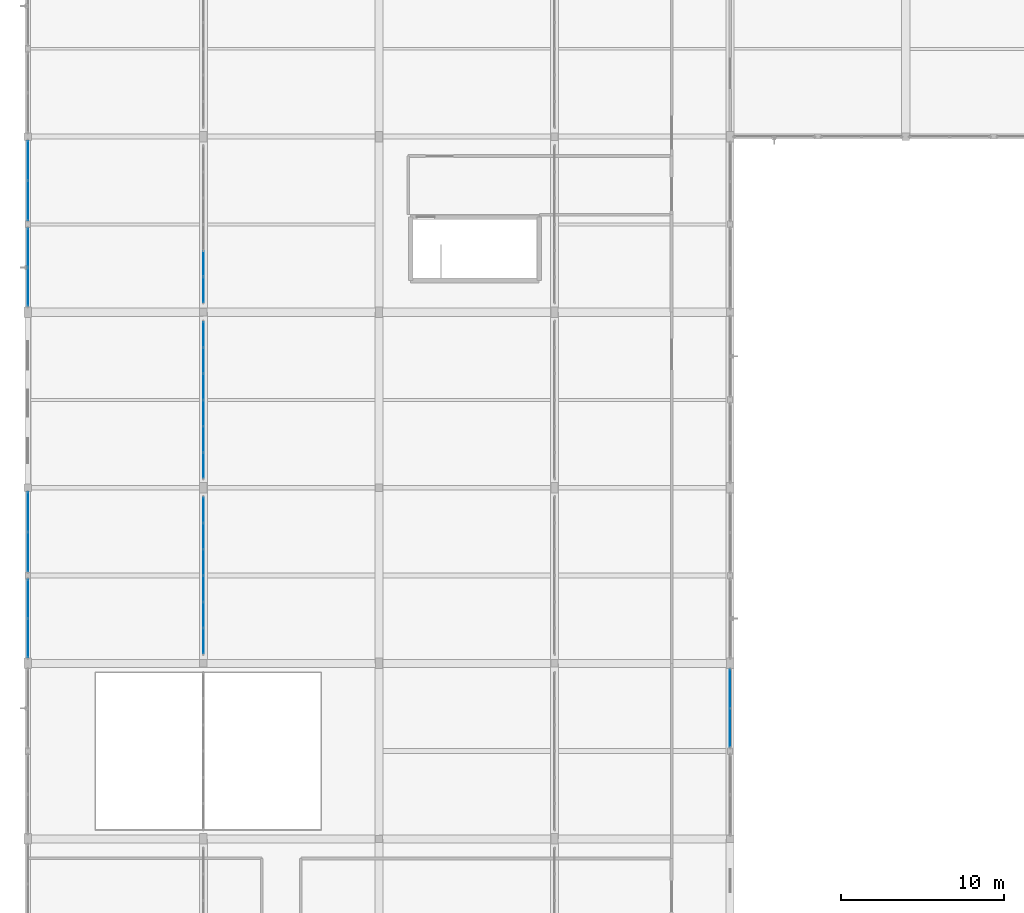
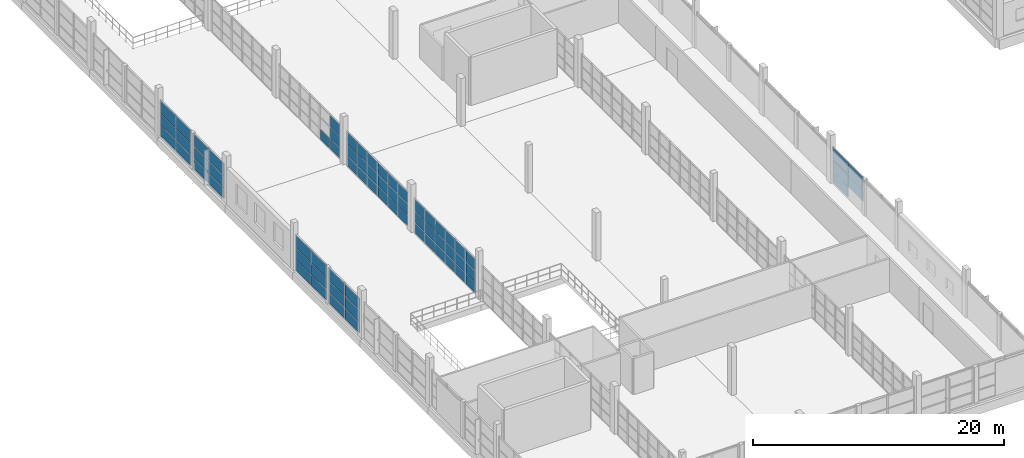
# One storey, part 83 of 142: 69 plates, 8 elements without a shape of their own.
"""IFC4 building model written with IfcOpenShell, lengths in metres."""

from ifc_helpers import new_model, si_unit, direction, frame, origin, origin_2d, place, context, subcontext, project, spatial, rectangle, extrude, material, layer, layer_set, type_object, element, aggregate, save


model = new_model("IFC4")

# Units and contexts
model_context = context("Model", 3, precision=1e-05, world=origin(), true_north=direction((0.0, 1.0)))
body_context = subcontext(model_context, "Body", "Model", "MODEL_VIEW")
ifc_project = project(units=[si_unit("LENGTHUNIT", "METRE"), si_unit("AREAUNIT", "SQUARE_METRE"), si_unit("VOLUMEUNIT", "CUBIC_METRE"), si_unit("PLANEANGLEUNIT", "RADIAN"), si_unit("MASSUNIT", "GRAM", prefix="KILO")], contexts=[model_context])

# Site, building, storey
site_placement = place(None, origin())
site = spatial("IfcSite", under=ifc_project, at=site_placement, CompositionType="ELEMENT")
building_placement = place(site_placement, origin())
building = spatial("IfcBuilding", under=site, at=building_placement, Name="Zwinboog Wholesale Market", CompositionType="ELEMENT")
storey_placement = place(building_placement, frame((0.0, 0.0, 5.39990234375)))
storey = spatial("IfcBuildingStorey", under=building, at=storey_placement, Name="L01", CompositionType="ELEMENT", Elevation=5.39990234375)

# Curtain wall, plates
ifc_material_1 = material(Name="Aluminium thermally broken curtain wall", Category="aluminium")
curtain_wall_type_1 = type_object("IfcCurtainWallType", Name="CWT-STALL-18", PredefinedType="USERDEFINED", material=ifc_material_1)
curtain_wall_1_placement = place(storey_placement, origin())
curtain_wall_1 = element("IfcCurtainWall", 1, at=curtain_wall_1_placement, inside=storey, type_object=curtain_wall_type_1, Name="CW-01 (CW-L01-055)", ObjectType="STOREFRONT_GLAZING", PredefinedType="USERDEFINED")
ifc_material_2 = material(Name="Double low-e insulated glazing", Category="glass")
ifc_layer_1 = layer(ifc_material_2, 0.031982421875)
ifc_layer_set_1 = layer_set([ifc_layer_1], Name="Double low-e insulated glazing")
plate_type_1 = type_object("IfcPlateType", Name="CWP-IGU-32", PredefinedType="CURTAIN_PANEL", material=ifc_layer_set_1)
plate_1_placement = place(storey_placement, frame((0.0, 33.956298828125, 0.065185546875), z_axis=(0.0, 0.0, 1.0), x_axis=(0.0, 1.0, 0.0)))
plate_1 = element("IfcPlate", 2, at=plate_1_placement, type_object=plate_type_1, Name="CW-01 panel 1.1", PredefinedType="CURTAIN_PANEL", context=body_context, shape_type="SweptSolid", body=[
    extrude(rectangle(XDim=2.342529296875, YDim=0.031982421875, at=origin_2d()), origin(), (0.0, 0.0, 1.0), 1.00244140625),
])
plate_2_placement = place(storey_placement, frame((0.0, 33.956298828125, 1.132568359375), z_axis=(0.0, 0.0, 1.0), x_axis=(0.0, 1.0, 0.0)))
plate_2 = element("IfcPlate", 3, at=plate_2_placement, type_object=plate_type_1, Name="CW-01 panel 1.2", PredefinedType="CURTAIN_PANEL", context=body_context, shape_type="SweptSolid", body=[
    extrude(rectangle(XDim=2.342529296875, YDim=0.031982421875, at=origin_2d()), origin(), (0.0, 0.0, 1.0), 1.0849609375),
])
plate_3_placement = place(storey_placement, frame((0.0, 33.956298828125, 2.282470703125), z_axis=(0.0, 0.0, 1.0), x_axis=(0.0, 1.0, 0.0)))
plate_3 = element("IfcPlate", 4, at=plate_3_placement, type_object=plate_type_1, Name="CW-01 panel 1.3", PredefinedType="CURTAIN_PANEL", context=body_context, shape_type="SweptSolid", body=[
    extrude(rectangle(XDim=2.342529296875, YDim=0.031982421875, at=origin_2d()), origin(), (0.0, 0.0, 1.0), 1.1826171875),
])
plate_4_placement = place(storey_placement, frame((0.0, 36.36376953125, 0.065185546875), z_axis=(0.0, 0.0, 1.0), x_axis=(0.0, 1.0, 0.0)))
plate_4 = element("IfcPlate", 5, at=plate_4_placement, type_object=plate_type_1, Name="CW-01 panel 2.1", PredefinedType="CURTAIN_PANEL", context=body_context, shape_type="SweptSolid", body=[
    extrude(rectangle(XDim=2.342529296875, YDim=0.031982421875, at=origin_2d()), origin(), (0.0, 0.0, 1.0), 1.00244140625),
])
plate_5_placement = place(storey_placement, frame((0.0, 36.36376953125, 1.132568359375), z_axis=(0.0, 0.0, 1.0), x_axis=(0.0, 1.0, 0.0)))
plate_5 = element("IfcPlate", 6, at=plate_5_placement, type_object=plate_type_1, Name="CW-01 panel 2.2", PredefinedType="CURTAIN_PANEL", context=body_context, shape_type="SweptSolid", body=[
    extrude(rectangle(XDim=2.342529296875, YDim=0.031982421875, at=origin_2d()), origin(), (0.0, 0.0, 1.0), 1.0849609375),
])
plate_6_placement = place(storey_placement, frame((0.0, 36.36376953125, 2.282470703125), z_axis=(0.0, 0.0, 1.0), x_axis=(0.0, 1.0, 0.0)))
plate_6 = element("IfcPlate", 7, at=plate_6_placement, type_object=plate_type_1, Name="CW-01 panel 2.3", PredefinedType="CURTAIN_PANEL", context=body_context, shape_type="SweptSolid", body=[
    extrude(rectangle(XDim=2.342529296875, YDim=0.031982421875, at=origin_2d()), origin(), (0.0, 0.0, 1.0), 1.1826171875),
])
aggregate(curtain_wall_1, [plate_1, plate_2, plate_3, plate_4, plate_5, plate_6])

curtain_wall_type_2 = type_object("IfcCurtainWallType", Name="CWT-STALL-20", PredefinedType="USERDEFINED", material=ifc_material_1)
curtain_wall_2_placement = place(storey_placement, origin())
curtain_wall_2 = element("IfcCurtainWall", 8, at=curtain_wall_2_placement, inside=storey, type_object=curtain_wall_type_2, Name="CW-02 (CW-L01-056)", ObjectType="STOREFRONT_GLAZING", PredefinedType="USERDEFINED")
plate_7_placement = place(storey_placement, frame((0.0, 39.260009765625, 0.06005859375), z_axis=(0.0, 0.0, 1.0), x_axis=(0.0, 1.0, 0.0)))
plate_7 = element("IfcPlate", 9, at=plate_7_placement, type_object=plate_type_1, Name="CW-02 panel 1.1", PredefinedType="CURTAIN_PANEL", context=body_context, shape_type="SweptSolid", body=[
    extrude(rectangle(XDim=2.39990234375, YDim=0.031982421875, at=origin_2d()), origin(), (0.0, 0.0, 1.0), 1.010009765625),
])
plate_8_placement = place(storey_placement, frame((0.0, 39.260009765625, 1.1298828125), z_axis=(0.0, 0.0, 1.0), x_axis=(0.0, 1.0, 0.0)))
plate_8 = element("IfcPlate", 10, at=plate_8_placement, type_object=plate_type_1, Name="CW-02 panel 1.2", PredefinedType="CURTAIN_PANEL", context=body_context, shape_type="SweptSolid", body=[
    extrude(rectangle(XDim=2.39990234375, YDim=0.031982421875, at=origin_2d()), origin(), (0.0, 0.0, 1.0), 1.090087890625),
])
plate_9_placement = place(storey_placement, frame((0.0, 39.260009765625, 2.280029296875), z_axis=(0.0, 0.0, 1.0), x_axis=(0.0, 1.0, 0.0)))
plate_9 = element("IfcPlate", 11, at=plate_9_placement, type_object=plate_type_1, Name="CW-02 panel 1.3", PredefinedType="CURTAIN_PANEL", context=body_context, shape_type="SweptSolid", body=[
    extrude(rectangle(XDim=2.39990234375, YDim=0.031982421875, at=origin_2d()), origin(), (0.0, 0.0, 1.0), 1.18994140625),
])
plate_10_placement = place(storey_placement, frame((0.0, 41.719970703125, 0.06005859375), z_axis=(0.0, 0.0, 1.0), x_axis=(0.0, 1.0, 0.0)))
plate_10 = element("IfcPlate", 12, at=plate_10_placement, type_object=plate_type_1, Name="CW-02 panel 2.1", PredefinedType="CURTAIN_PANEL", context=body_context, shape_type="SweptSolid", body=[
    extrude(rectangle(XDim=2.39990234375, YDim=0.031982421875, at=origin_2d()), origin(), (0.0, 0.0, 1.0), 1.010009765625),
])
plate_11_placement = place(storey_placement, frame((0.0, 41.719970703125, 1.1298828125), z_axis=(0.0, 0.0, 1.0), x_axis=(0.0, 1.0, 0.0)))
plate_11 = element("IfcPlate", 13, at=plate_11_placement, type_object=plate_type_1, Name="CW-02 panel 2.2", PredefinedType="CURTAIN_PANEL", context=body_context, shape_type="SweptSolid", body=[
    extrude(rectangle(XDim=2.39990234375, YDim=0.031982421875, at=origin_2d()), origin(), (0.0, 0.0, 1.0), 1.090087890625),
])
plate_12_placement = place(storey_placement, frame((0.0, 41.719970703125, 2.280029296875), z_axis=(0.0, 0.0, 1.0), x_axis=(0.0, 1.0, 0.0)))
plate_12 = element("IfcPlate", 14, at=plate_12_placement, type_object=plate_type_1, Name="CW-02 panel 2.3", PredefinedType="CURTAIN_PANEL", context=body_context, shape_type="SweptSolid", body=[
    extrude(rectangle(XDim=2.39990234375, YDim=0.031982421875, at=origin_2d()), origin(), (0.0, 0.0, 1.0), 1.18994140625),
])
aggregate(curtain_wall_2, [plate_7, plate_8, plate_9, plate_10, plate_11, plate_12])

curtain_wall_type_3 = type_object("IfcCurtainWallType", Name="CWT-HALL-24", PredefinedType="USERDEFINED", material=ifc_material_1)
curtain_wall_3_placement = place(storey_placement, origin())
curtain_wall_3 = element("IfcCurtainWall", 15, at=curtain_wall_3_placement, inside=storey, type_object=curtain_wall_type_3, Name="CW-03 (CW-L01-057)", ObjectType="UNITIZED_CURTAIN_WALL", PredefinedType="USERDEFINED")
plate_13_placement = place(storey_placement, frame((0.0, 55.55615234375, 0.065185546875), z_axis=(0.0, 0.0, 1.0), x_axis=(0.0, 1.0, 0.0)))
plate_13 = element("IfcPlate", 16, at=plate_13_placement, type_object=plate_type_1, Name="CW-03 panel 1.1", PredefinedType="CURTAIN_PANEL", context=body_context, shape_type="SweptSolid", body=[
    extrude(rectangle(XDim=2.342529296875, YDim=0.031982421875, at=origin_2d()), origin(), (0.0, 0.0, 1.0), 1.00244140625),
])
plate_14_placement = place(storey_placement, frame((0.0, 55.55615234375, 1.132568359375), z_axis=(0.0, 0.0, 1.0), x_axis=(0.0, 1.0, 0.0)))
plate_14 = element("IfcPlate", 17, at=plate_14_placement, type_object=plate_type_1, Name="CW-03 panel 1.2", PredefinedType="CURTAIN_PANEL", context=body_context, shape_type="SweptSolid", body=[
    extrude(rectangle(XDim=2.342529296875, YDim=0.031982421875, at=origin_2d()), origin(), (0.0, 0.0, 1.0), 1.0849609375),
])
plate_15_placement = place(storey_placement, frame((0.0, 55.55615234375, 2.282470703125), z_axis=(0.0, 0.0, 1.0), x_axis=(0.0, 1.0, 0.0)))
plate_15 = element("IfcPlate", 18, at=plate_15_placement, type_object=plate_type_1, Name="CW-03 panel 1.3", PredefinedType="CURTAIN_PANEL", context=body_context, shape_type="SweptSolid", body=[
    extrude(rectangle(XDim=2.342529296875, YDim=0.031982421875, at=origin_2d()), origin(), (0.0, 0.0, 1.0), 1.1826171875),
])
plate_16_placement = place(storey_placement, frame((0.0, 57.9638671875, 0.065185546875), z_axis=(0.0, 0.0, 1.0), x_axis=(0.0, 1.0, 0.0)))
plate_16 = element("IfcPlate", 19, at=plate_16_placement, type_object=plate_type_1, Name="CW-03 panel 2.1", PredefinedType="CURTAIN_PANEL", context=body_context, shape_type="SweptSolid", body=[
    extrude(rectangle(XDim=2.342529296875, YDim=0.031982421875, at=origin_2d()), origin(), (0.0, 0.0, 1.0), 1.00244140625),
])
plate_17_placement = place(storey_placement, frame((0.0, 57.9638671875, 1.132568359375), z_axis=(0.0, 0.0, 1.0), x_axis=(0.0, 1.0, 0.0)))
plate_17 = element("IfcPlate", 20, at=plate_17_placement, type_object=plate_type_1, Name="CW-03 panel 2.2", PredefinedType="CURTAIN_PANEL", context=body_context, shape_type="SweptSolid", body=[
    extrude(rectangle(XDim=2.342529296875, YDim=0.031982421875, at=origin_2d()), origin(), (0.0, 0.0, 1.0), 1.0849609375),
])
plate_18_placement = place(storey_placement, frame((0.0, 57.9638671875, 2.282470703125), z_axis=(0.0, 0.0, 1.0), x_axis=(0.0, 1.0, 0.0)))
plate_18 = element("IfcPlate", 21, at=plate_18_placement, type_object=plate_type_1, Name="CW-03 panel 2.3", PredefinedType="CURTAIN_PANEL", context=body_context, shape_type="SweptSolid", body=[
    extrude(rectangle(XDim=2.342529296875, YDim=0.031982421875, at=origin_2d()), origin(), (0.0, 0.0, 1.0), 1.1826171875),
])
aggregate(curtain_wall_3, [plate_13, plate_14, plate_15, plate_16, plate_17, plate_18])

curtain_wall_type_4 = type_object("IfcCurtainWallType", Name="CWT-GAL-16", PredefinedType="USERDEFINED", material=ifc_material_1)
curtain_wall_4_placement = place(storey_placement, origin())
curtain_wall_4 = element("IfcCurtainWall", 22, at=curtain_wall_4_placement, inside=storey, type_object=curtain_wall_type_4, Name="CW-04 (CW-L01-058)", ObjectType="UNITIZED_CURTAIN_WALL", PredefinedType="USERDEFINED")
plate_19_placement = place(storey_placement, frame((0.0, 60.860107421875, 0.06005859375), z_axis=(0.0, 0.0, 1.0), x_axis=(0.0, 1.0, 0.0)))
plate_19 = element("IfcPlate", 23, at=plate_19_placement, type_object=plate_type_1, Name="CW-04 panel 1.1", PredefinedType="CURTAIN_PANEL", context=body_context, shape_type="SweptSolid", body=[
    extrude(rectangle(XDim=2.39990234375, YDim=0.031982421875, at=origin_2d()), origin(), (0.0, 0.0, 1.0), 1.010009765625),
])
plate_20_placement = place(storey_placement, frame((0.0, 60.860107421875, 1.1298828125), z_axis=(0.0, 0.0, 1.0), x_axis=(0.0, 1.0, 0.0)))
plate_20 = element("IfcPlate", 24, at=plate_20_placement, type_object=plate_type_1, Name="CW-04 panel 1.2", PredefinedType="CURTAIN_PANEL", context=body_context, shape_type="SweptSolid", body=[
    extrude(rectangle(XDim=2.39990234375, YDim=0.031982421875, at=origin_2d()), origin(), (0.0, 0.0, 1.0), 1.090087890625),
])
plate_21_placement = place(storey_placement, frame((0.0, 60.860107421875, 2.280029296875), z_axis=(0.0, 0.0, 1.0), x_axis=(0.0, 1.0, 0.0)))
plate_21 = element("IfcPlate", 25, at=plate_21_placement, type_object=plate_type_1, Name="CW-04 panel 1.3", PredefinedType="CURTAIN_PANEL", context=body_context, shape_type="SweptSolid", body=[
    extrude(rectangle(XDim=2.39990234375, YDim=0.031982421875, at=origin_2d()), origin(), (0.0, 0.0, 1.0), 1.18994140625),
])
plate_22_placement = place(storey_placement, frame((0.0, 63.320068359375, 0.06005859375), z_axis=(0.0, 0.0, 1.0), x_axis=(0.0, 1.0, 0.0)))
plate_22 = element("IfcPlate", 26, at=plate_22_placement, type_object=plate_type_1, Name="CW-04 panel 2.1", PredefinedType="CURTAIN_PANEL", context=body_context, shape_type="SweptSolid", body=[
    extrude(rectangle(XDim=2.39990234375, YDim=0.031982421875, at=origin_2d()), origin(), (0.0, 0.0, 1.0), 1.010009765625),
])
plate_23_placement = place(storey_placement, frame((0.0, 63.320068359375, 1.1298828125), z_axis=(0.0, 0.0, 1.0), x_axis=(0.0, 1.0, 0.0)))
plate_23 = element("IfcPlate", 27, at=plate_23_placement, type_object=plate_type_1, Name="CW-04 panel 2.2", PredefinedType="CURTAIN_PANEL", context=body_context, shape_type="SweptSolid", body=[
    extrude(rectangle(XDim=2.39990234375, YDim=0.031982421875, at=origin_2d()), origin(), (0.0, 0.0, 1.0), 1.090087890625),
])
plate_24_placement = place(storey_placement, frame((0.0, 63.320068359375, 2.280029296875), z_axis=(0.0, 0.0, 1.0), x_axis=(0.0, 1.0, 0.0)))
plate_24 = element("IfcPlate", 28, at=plate_24_placement, type_object=plate_type_1, Name="CW-04 panel 2.3", PredefinedType="CURTAIN_PANEL", context=body_context, shape_type="SweptSolid", body=[
    extrude(rectangle(XDim=2.39990234375, YDim=0.031982421875, at=origin_2d()), origin(), (0.0, 0.0, 1.0), 1.18994140625),
])
aggregate(curtain_wall_4, [plate_19, plate_20, plate_21, plate_22, plate_23, plate_24])

curtain_wall_5_placement = place(storey_placement, origin())
curtain_wall_5 = element("IfcCurtainWall", 29, at=curtain_wall_5_placement, inside=storey, type_object=curtain_wall_type_2, Name="CW-02 (CW-L01-074)", ObjectType="STOREFRONT_GLAZING", PredefinedType="USERDEFINED")
plate_25_placement = place(storey_placement, frame((43.199951171875, 28.43505859375, 1.1298828125), z_axis=(0.0, 0.0, 1.0), x_axis=(0.0, 1.0, 0.0)))
plate_25 = element("IfcPlate", 30, at=plate_25_placement, type_object=plate_type_1, Name="CW-02 panel 1.2", PredefinedType="CURTAIN_PANEL", context=body_context, shape_type="SweptSolid", body=[
    extrude(rectangle(XDim=2.35009765625, YDim=0.031982421875, at=origin_2d()), origin(), (0.0, 0.0, 1.0), 1.090087890625),
])
plate_26_placement = place(storey_placement, frame((43.199951171875, 28.43505859375, 2.280029296875), z_axis=(0.0, 0.0, 1.0), x_axis=(0.0, 1.0, 0.0)))
plate_26 = element("IfcPlate", 31, at=plate_26_placement, type_object=plate_type_1, Name="CW-02 panel 1.3", PredefinedType="CURTAIN_PANEL", context=body_context, shape_type="SweptSolid", body=[
    extrude(rectangle(XDim=2.35009765625, YDim=0.031982421875, at=origin_2d()), origin(), (0.0, 0.0, 1.0), 1.18994140625),
])
plate_27_placement = place(storey_placement, frame((43.199951171875, 30.844970703125, 0.06005859375), z_axis=(0.0, 0.0, 1.0), x_axis=(0.0, 1.0, 0.0)))
plate_27 = element("IfcPlate", 32, at=plate_27_placement, type_object=plate_type_1, Name="CW-02 panel 2.1", PredefinedType="CURTAIN_PANEL", context=body_context, shape_type="SweptSolid", body=[
    extrude(rectangle(XDim=2.35009765625, YDim=0.031982421875, at=origin_2d()), origin(), (0.0, 0.0, 1.0), 1.010009765625),
])
plate_28_placement = place(storey_placement, frame((43.199951171875, 30.844970703125, 1.1298828125), z_axis=(0.0, 0.0, 1.0), x_axis=(0.0, 1.0, 0.0)))
plate_28 = element("IfcPlate", 33, at=plate_28_placement, type_object=plate_type_1, Name="CW-02 panel 2.2", PredefinedType="CURTAIN_PANEL", context=body_context, shape_type="SweptSolid", body=[
    extrude(rectangle(XDim=2.35009765625, YDim=0.031982421875, at=origin_2d()), origin(), (0.0, 0.0, 1.0), 1.090087890625),
])
plate_29_placement = place(storey_placement, frame((43.199951171875, 30.844970703125, 2.280029296875), z_axis=(0.0, 0.0, 1.0), x_axis=(0.0, 1.0, 0.0)))
plate_29 = element("IfcPlate", 34, at=plate_29_placement, type_object=plate_type_1, Name="CW-02 panel 2.3", PredefinedType="CURTAIN_PANEL", context=body_context, shape_type="SweptSolid", body=[
    extrude(rectangle(XDim=2.35009765625, YDim=0.031982421875, at=origin_2d()), origin(), (0.0, 0.0, 1.0), 1.18994140625),
])
aggregate(curtain_wall_5, [plate_25, plate_26, plate_27, plate_28, plate_29])

curtain_wall_type_5 = type_object("IfcCurtainWallType", Name="CWT-INT-STALL", PredefinedType="USERDEFINED", material=ifc_material_1)
curtain_wall_6_placement = place(storey_placement, origin())
curtain_wall_6 = element("IfcCurtainWall", 35, at=curtain_wall_6_placement, inside=storey, type_object=curtain_wall_type_5, Name="CW-07 (CW-STL-258)", ObjectType="STOREFRONT_GLAZING", PredefinedType="USERDEFINED")
ifc_material_3 = material(Name="Tempered laminated market stall glazing", Category="glass")
ifc_layer_2 = layer(ifc_material_3, 0.01611328125)
ifc_layer_set_2 = layer_set([ifc_layer_2], Name="Tempered laminated market stall glazing")
plate_type_2 = type_object("IfcPlateType", Name="CWP-INT-16", PredefinedType="CURTAIN_PANEL", material=ifc_layer_set_2)
plate_30_placement = place(storey_placement, frame((10.800048828125, 33.7734375, 0.06005859375), z_axis=(0.0, 0.0, 1.0), x_axis=(0.0, 1.0, 0.0)))
plate_30 = element("IfcPlate", 36, at=plate_30_placement, type_object=plate_type_2, Name="CW-07 panel 1.1", PredefinedType="CURTAIN_PANEL", context=body_context, shape_type="SweptSolid", body=[
    extrude(rectangle(XDim=1.526611328125, YDim=0.01611328125, at=origin_2d()), origin(), (0.0, 0.0, 1.0), 0.9599609375),
])
plate_31_placement = place(storey_placement, frame((10.800048828125, 33.7734375, 1.080078125), z_axis=(0.0, 0.0, 1.0), x_axis=(0.0, 1.0, 0.0)))
plate_31 = element("IfcPlate", 37, at=plate_31_placement, type_object=plate_type_2, Name="CW-07 panel 1.2", PredefinedType="CURTAIN_PANEL", context=body_context, shape_type="SweptSolid", body=[
    extrude(rectangle(XDim=1.526611328125, YDim=0.01611328125, at=origin_2d()), origin(), (0.0, 0.0, 1.0), 1.090087890625),
])
plate_32_placement = place(storey_placement, frame((10.800048828125, 33.7734375, 2.22998046875), z_axis=(0.0, 0.0, 1.0), x_axis=(0.0, 1.0, 0.0)))
plate_32 = element("IfcPlate", 38, at=plate_32_placement, type_object=plate_type_2, Name="CW-07 panel 1.3", PredefinedType="CURTAIN_PANEL", context=body_context, shape_type="SweptSolid", body=[
    extrude(rectangle(XDim=1.526611328125, YDim=0.01611328125, at=origin_2d()), origin(), (0.0, 0.0, 1.0), 1.110107421875),
])
plate_33_placement = place(storey_placement, frame((10.800048828125, 35.375, 0.06005859375), z_axis=(0.0, 0.0, 1.0), x_axis=(0.0, 1.0, 0.0)))
plate_33 = element("IfcPlate", 39, at=plate_33_placement, type_object=plate_type_2, Name="CW-07 panel 2.1", PredefinedType="CURTAIN_PANEL", context=body_context, shape_type="SweptSolid", body=[
    extrude(rectangle(XDim=1.556640625, YDim=0.01611328125, at=origin_2d()), origin(), (0.0, 0.0, 1.0), 0.9599609375),
])
plate_34_placement = place(storey_placement, frame((10.800048828125, 35.375, 1.080078125), z_axis=(0.0, 0.0, 1.0), x_axis=(0.0, 1.0, 0.0)))
plate_34 = element("IfcPlate", 40, at=plate_34_placement, type_object=plate_type_2, Name="CW-07 panel 2.2", PredefinedType="CURTAIN_PANEL", context=body_context, shape_type="SweptSolid", body=[
    extrude(rectangle(XDim=1.556640625, YDim=0.01611328125, at=origin_2d()), origin(), (0.0, 0.0, 1.0), 1.090087890625),
])
plate_35_placement = place(storey_placement, frame((10.800048828125, 35.375, 2.22998046875), z_axis=(0.0, 0.0, 1.0), x_axis=(0.0, 1.0, 0.0)))
plate_35 = element("IfcPlate", 41, at=plate_35_placement, type_object=plate_type_2, Name="CW-07 panel 2.3", PredefinedType="CURTAIN_PANEL", context=body_context, shape_type="SweptSolid", body=[
    extrude(rectangle(XDim=1.556640625, YDim=0.01611328125, at=origin_2d()), origin(), (0.0, 0.0, 1.0), 1.110107421875),
])
plate_36_placement = place(storey_placement, frame((10.800048828125, 36.99169921875, 0.06005859375), z_axis=(0.0, 0.0, 1.0), x_axis=(0.0, 1.0, 0.0)))
plate_36 = element("IfcPlate", 42, at=plate_36_placement, type_object=plate_type_2, Name="CW-07 panel 3.1", PredefinedType="CURTAIN_PANEL", context=body_context, shape_type="SweptSolid", body=[
    extrude(rectangle(XDim=1.556640625, YDim=0.01611328125, at=origin_2d()), origin(), (0.0, 0.0, 1.0), 0.9599609375),
])
plate_37_placement = place(storey_placement, frame((10.800048828125, 36.99169921875, 1.080078125), z_axis=(0.0, 0.0, 1.0), x_axis=(0.0, 1.0, 0.0)))
plate_37 = element("IfcPlate", 43, at=plate_37_placement, type_object=plate_type_2, Name="CW-07 panel 3.2", PredefinedType="CURTAIN_PANEL", context=body_context, shape_type="SweptSolid", body=[
    extrude(rectangle(XDim=1.556640625, YDim=0.01611328125, at=origin_2d()), origin(), (0.0, 0.0, 1.0), 1.090087890625),
])
plate_38_placement = place(storey_placement, frame((10.800048828125, 36.99169921875, 2.22998046875), z_axis=(0.0, 0.0, 1.0), x_axis=(0.0, 1.0, 0.0)))
plate_38 = element("IfcPlate", 44, at=plate_38_placement, type_object=plate_type_2, Name="CW-07 panel 3.3", PredefinedType="CURTAIN_PANEL", context=body_context, shape_type="SweptSolid", body=[
    extrude(rectangle(XDim=1.556640625, YDim=0.01611328125, at=origin_2d()), origin(), (0.0, 0.0, 1.0), 1.110107421875),
])
plate_39_placement = place(storey_placement, frame((10.800048828125, 38.6083984375, 0.06005859375), z_axis=(0.0, 0.0, 1.0), x_axis=(0.0, 1.0, 0.0)))
plate_39 = element("IfcPlate", 45, at=plate_39_placement, type_object=plate_type_2, Name="CW-07 panel 4.1", PredefinedType="CURTAIN_PANEL", context=body_context, shape_type="SweptSolid", body=[
    extrude(rectangle(XDim=1.556640625, YDim=0.01611328125, at=origin_2d()), origin(), (0.0, 0.0, 1.0), 0.9599609375),
])
plate_40_placement = place(storey_placement, frame((10.800048828125, 38.6083984375, 1.080078125), z_axis=(0.0, 0.0, 1.0), x_axis=(0.0, 1.0, 0.0)))
plate_40 = element("IfcPlate", 46, at=plate_40_placement, type_object=plate_type_2, Name="CW-07 panel 4.2", PredefinedType="CURTAIN_PANEL", context=body_context, shape_type="SweptSolid", body=[
    extrude(rectangle(XDim=1.556640625, YDim=0.01611328125, at=origin_2d()), origin(), (0.0, 0.0, 1.0), 1.090087890625),
])
plate_41_placement = place(storey_placement, frame((10.800048828125, 38.6083984375, 2.22998046875), z_axis=(0.0, 0.0, 1.0), x_axis=(0.0, 1.0, 0.0)))
plate_41 = element("IfcPlate", 47, at=plate_41_placement, type_object=plate_type_2, Name="CW-07 panel 4.3", PredefinedType="CURTAIN_PANEL", context=body_context, shape_type="SweptSolid", body=[
    extrude(rectangle(XDim=1.556640625, YDim=0.01611328125, at=origin_2d()), origin(), (0.0, 0.0, 1.0), 1.110107421875),
])
plate_42_placement = place(storey_placement, frame((10.800048828125, 40.22509765625, 0.06005859375), z_axis=(0.0, 0.0, 1.0), x_axis=(0.0, 1.0, 0.0)))
plate_42 = element("IfcPlate", 48, at=plate_42_placement, type_object=plate_type_2, Name="CW-07 panel 5.1", PredefinedType="CURTAIN_PANEL", context=body_context, shape_type="SweptSolid", body=[
    extrude(rectangle(XDim=1.556640625, YDim=0.01611328125, at=origin_2d()), origin(), (0.0, 0.0, 1.0), 0.9599609375),
])
plate_43_placement = place(storey_placement, frame((10.800048828125, 40.22509765625, 1.080078125), z_axis=(0.0, 0.0, 1.0), x_axis=(0.0, 1.0, 0.0)))
plate_43 = element("IfcPlate", 49, at=plate_43_placement, type_object=plate_type_2, Name="CW-07 panel 5.2", PredefinedType="CURTAIN_PANEL", context=body_context, shape_type="SweptSolid", body=[
    extrude(rectangle(XDim=1.556640625, YDim=0.01611328125, at=origin_2d()), origin(), (0.0, 0.0, 1.0), 1.090087890625),
])
plate_44_placement = place(storey_placement, frame((10.800048828125, 40.22509765625, 2.22998046875), z_axis=(0.0, 0.0, 1.0), x_axis=(0.0, 1.0, 0.0)))
plate_44 = element("IfcPlate", 50, at=plate_44_placement, type_object=plate_type_2, Name="CW-07 panel 5.3", PredefinedType="CURTAIN_PANEL", context=body_context, shape_type="SweptSolid", body=[
    extrude(rectangle(XDim=1.556640625, YDim=0.01611328125, at=origin_2d()), origin(), (0.0, 0.0, 1.0), 1.110107421875),
])
plate_45_placement = place(storey_placement, frame((10.800048828125, 41.82666015625, 0.06005859375), z_axis=(0.0, 0.0, 1.0), x_axis=(0.0, 1.0, 0.0)))
plate_45 = element("IfcPlate", 51, at=plate_45_placement, type_object=plate_type_2, Name="CW-07 panel 6.1", PredefinedType="CURTAIN_PANEL", context=body_context, shape_type="SweptSolid", body=[
    extrude(rectangle(XDim=1.526611328125, YDim=0.01611328125, at=origin_2d()), origin(), (0.0, 0.0, 1.0), 0.9599609375),
])
plate_46_placement = place(storey_placement, frame((10.800048828125, 41.82666015625, 1.080078125), z_axis=(0.0, 0.0, 1.0), x_axis=(0.0, 1.0, 0.0)))
plate_46 = element("IfcPlate", 52, at=plate_46_placement, type_object=plate_type_2, Name="CW-07 panel 6.2", PredefinedType="CURTAIN_PANEL", context=body_context, shape_type="SweptSolid", body=[
    extrude(rectangle(XDim=1.526611328125, YDim=0.01611328125, at=origin_2d()), origin(), (0.0, 0.0, 1.0), 1.090087890625),
])
plate_47_placement = place(storey_placement, frame((10.800048828125, 41.82666015625, 2.22998046875), z_axis=(0.0, 0.0, 1.0), x_axis=(0.0, 1.0, 0.0)))
plate_47 = element("IfcPlate", 53, at=plate_47_placement, type_object=plate_type_2, Name="CW-07 panel 6.3", PredefinedType="CURTAIN_PANEL", context=body_context, shape_type="SweptSolid", body=[
    extrude(rectangle(XDim=1.526611328125, YDim=0.01611328125, at=origin_2d()), origin(), (0.0, 0.0, 1.0), 1.110107421875),
])
aggregate(curtain_wall_6, [plate_30, plate_31, plate_32, plate_33, plate_34, plate_35, plate_36, plate_37, plate_38, plate_39, plate_40, plate_41, plate_42, plate_43, plate_44, plate_45, plate_46, plate_47])

curtain_wall_7_placement = place(storey_placement, origin())
curtain_wall_7 = element("IfcCurtainWall", 54, at=curtain_wall_7_placement, inside=storey, type_object=curtain_wall_type_5, Name="CW-07 (CW-STL-259)", ObjectType="STOREFRONT_GLAZING", PredefinedType="USERDEFINED")
plate_48_placement = place(storey_placement, frame((10.800048828125, 44.5732421875, 0.06005859375), z_axis=(0.0, 0.0, 1.0), x_axis=(0.0, 1.0, 0.0)))
plate_48 = element("IfcPlate", 55, at=plate_48_placement, type_object=plate_type_2, Name="CW-07 panel 1.1", PredefinedType="CURTAIN_PANEL", context=body_context, shape_type="SweptSolid", body=[
    extrude(rectangle(XDim=1.526611328125, YDim=0.01611328125, at=origin_2d()), origin(), (0.0, 0.0, 1.0), 0.9599609375),
])
plate_49_placement = place(storey_placement, frame((10.800048828125, 44.5732421875, 1.080078125), z_axis=(0.0, 0.0, 1.0), x_axis=(0.0, 1.0, 0.0)))
plate_49 = element("IfcPlate", 56, at=plate_49_placement, type_object=plate_type_2, Name="CW-07 panel 1.2", PredefinedType="CURTAIN_PANEL", context=body_context, shape_type="SweptSolid", body=[
    extrude(rectangle(XDim=1.526611328125, YDim=0.01611328125, at=origin_2d()), origin(), (0.0, 0.0, 1.0), 1.090087890625),
])
plate_50_placement = place(storey_placement, frame((10.800048828125, 44.5732421875, 2.22998046875), z_axis=(0.0, 0.0, 1.0), x_axis=(0.0, 1.0, 0.0)))
plate_50 = element("IfcPlate", 57, at=plate_50_placement, type_object=plate_type_2, Name="CW-07 panel 1.3", PredefinedType="CURTAIN_PANEL", context=body_context, shape_type="SweptSolid", body=[
    extrude(rectangle(XDim=1.526611328125, YDim=0.01611328125, at=origin_2d()), origin(), (0.0, 0.0, 1.0), 1.110107421875),
])
plate_51_placement = place(storey_placement, frame((10.800048828125, 46.175048828125, 0.06005859375), z_axis=(0.0, 0.0, 1.0), x_axis=(0.0, 1.0, 0.0)))
plate_51 = element("IfcPlate", 58, at=plate_51_placement, type_object=plate_type_2, Name="CW-07 panel 2.1", PredefinedType="CURTAIN_PANEL", context=body_context, shape_type="SweptSolid", body=[
    extrude(rectangle(XDim=1.556640625, YDim=0.01611328125, at=origin_2d()), origin(), (0.0, 0.0, 1.0), 0.9599609375),
])
plate_52_placement = place(storey_placement, frame((10.800048828125, 46.175048828125, 1.080078125), z_axis=(0.0, 0.0, 1.0), x_axis=(0.0, 1.0, 0.0)))
plate_52 = element("IfcPlate", 59, at=plate_52_placement, type_object=plate_type_2, Name="CW-07 panel 2.2", PredefinedType="CURTAIN_PANEL", context=body_context, shape_type="SweptSolid", body=[
    extrude(rectangle(XDim=1.556640625, YDim=0.01611328125, at=origin_2d()), origin(), (0.0, 0.0, 1.0), 1.090087890625),
])
plate_53_placement = place(storey_placement, frame((10.800048828125, 46.175048828125, 2.22998046875), z_axis=(0.0, 0.0, 1.0), x_axis=(0.0, 1.0, 0.0)))
plate_53 = element("IfcPlate", 60, at=plate_53_placement, type_object=plate_type_2, Name="CW-07 panel 2.3", PredefinedType="CURTAIN_PANEL", context=body_context, shape_type="SweptSolid", body=[
    extrude(rectangle(XDim=1.556640625, YDim=0.01611328125, at=origin_2d()), origin(), (0.0, 0.0, 1.0), 1.110107421875),
])
plate_54_placement = place(storey_placement, frame((10.800048828125, 47.791748046875, 0.06005859375), z_axis=(0.0, 0.0, 1.0), x_axis=(0.0, 1.0, 0.0)))
plate_54 = element("IfcPlate", 61, at=plate_54_placement, type_object=plate_type_2, Name="CW-07 panel 3.1", PredefinedType="CURTAIN_PANEL", context=body_context, shape_type="SweptSolid", body=[
    extrude(rectangle(XDim=1.556640625, YDim=0.01611328125, at=origin_2d()), origin(), (0.0, 0.0, 1.0), 0.9599609375),
])
plate_55_placement = place(storey_placement, frame((10.800048828125, 47.791748046875, 1.080078125), z_axis=(0.0, 0.0, 1.0), x_axis=(0.0, 1.0, 0.0)))
plate_55 = element("IfcPlate", 62, at=plate_55_placement, type_object=plate_type_2, Name="CW-07 panel 3.2", PredefinedType="CURTAIN_PANEL", context=body_context, shape_type="SweptSolid", body=[
    extrude(rectangle(XDim=1.556640625, YDim=0.01611328125, at=origin_2d()), origin(), (0.0, 0.0, 1.0), 1.090087890625),
])
plate_56_placement = place(storey_placement, frame((10.800048828125, 47.791748046875, 2.22998046875), z_axis=(0.0, 0.0, 1.0), x_axis=(0.0, 1.0, 0.0)))
plate_56 = element("IfcPlate", 63, at=plate_56_placement, type_object=plate_type_2, Name="CW-07 panel 3.3", PredefinedType="CURTAIN_PANEL", context=body_context, shape_type="SweptSolid", body=[
    extrude(rectangle(XDim=1.556640625, YDim=0.01611328125, at=origin_2d()), origin(), (0.0, 0.0, 1.0), 1.110107421875),
])
plate_57_placement = place(storey_placement, frame((10.800048828125, 49.408447265625, 0.06005859375), z_axis=(0.0, 0.0, 1.0), x_axis=(0.0, 1.0, 0.0)))
plate_57 = element("IfcPlate", 64, at=plate_57_placement, type_object=plate_type_2, Name="CW-07 panel 4.1", PredefinedType="CURTAIN_PANEL", context=body_context, shape_type="SweptSolid", body=[
    extrude(rectangle(XDim=1.556640625, YDim=0.01611328125, at=origin_2d()), origin(), (0.0, 0.0, 1.0), 0.9599609375),
])
plate_58_placement = place(storey_placement, frame((10.800048828125, 49.408447265625, 1.080078125), z_axis=(0.0, 0.0, 1.0), x_axis=(0.0, 1.0, 0.0)))
plate_58 = element("IfcPlate", 65, at=plate_58_placement, type_object=plate_type_2, Name="CW-07 panel 4.2", PredefinedType="CURTAIN_PANEL", context=body_context, shape_type="SweptSolid", body=[
    extrude(rectangle(XDim=1.556640625, YDim=0.01611328125, at=origin_2d()), origin(), (0.0, 0.0, 1.0), 1.090087890625),
])
plate_59_placement = place(storey_placement, frame((10.800048828125, 49.408447265625, 2.22998046875), z_axis=(0.0, 0.0, 1.0), x_axis=(0.0, 1.0, 0.0)))
plate_59 = element("IfcPlate", 66, at=plate_59_placement, type_object=plate_type_2, Name="CW-07 panel 4.3", PredefinedType="CURTAIN_PANEL", context=body_context, shape_type="SweptSolid", body=[
    extrude(rectangle(XDim=1.556640625, YDim=0.01611328125, at=origin_2d()), origin(), (0.0, 0.0, 1.0), 1.110107421875),
])
plate_60_placement = place(storey_placement, frame((10.800048828125, 51.02490234375, 0.06005859375), z_axis=(0.0, 0.0, 1.0), x_axis=(0.0, 1.0, 0.0)))
plate_60 = element("IfcPlate", 67, at=plate_60_placement, type_object=plate_type_2, Name="CW-07 panel 5.1", PredefinedType="CURTAIN_PANEL", context=body_context, shape_type="SweptSolid", body=[
    extrude(rectangle(XDim=1.556640625, YDim=0.01611328125, at=origin_2d()), origin(), (0.0, 0.0, 1.0), 0.9599609375),
])
plate_61_placement = place(storey_placement, frame((10.800048828125, 51.02490234375, 1.080078125), z_axis=(0.0, 0.0, 1.0), x_axis=(0.0, 1.0, 0.0)))
plate_61 = element("IfcPlate", 68, at=plate_61_placement, type_object=plate_type_2, Name="CW-07 panel 5.2", PredefinedType="CURTAIN_PANEL", context=body_context, shape_type="SweptSolid", body=[
    extrude(rectangle(XDim=1.556640625, YDim=0.01611328125, at=origin_2d()), origin(), (0.0, 0.0, 1.0), 1.090087890625),
])
plate_62_placement = place(storey_placement, frame((10.800048828125, 51.02490234375, 2.22998046875), z_axis=(0.0, 0.0, 1.0), x_axis=(0.0, 1.0, 0.0)))
plate_62 = element("IfcPlate", 69, at=plate_62_placement, type_object=plate_type_2, Name="CW-07 panel 5.3", PredefinedType="CURTAIN_PANEL", context=body_context, shape_type="SweptSolid", body=[
    extrude(rectangle(XDim=1.556640625, YDim=0.01611328125, at=origin_2d()), origin(), (0.0, 0.0, 1.0), 1.110107421875),
])
plate_63_placement = place(storey_placement, frame((10.800048828125, 52.626708984375, 0.06005859375), z_axis=(0.0, 0.0, 1.0), x_axis=(0.0, 1.0, 0.0)))
plate_63 = element("IfcPlate", 70, at=plate_63_placement, type_object=plate_type_2, Name="CW-07 panel 6.1", PredefinedType="CURTAIN_PANEL", context=body_context, shape_type="SweptSolid", body=[
    extrude(rectangle(XDim=1.526611328125, YDim=0.01611328125, at=origin_2d()), origin(), (0.0, 0.0, 1.0), 0.9599609375),
])
plate_64_placement = place(storey_placement, frame((10.800048828125, 52.626708984375, 1.080078125), z_axis=(0.0, 0.0, 1.0), x_axis=(0.0, 1.0, 0.0)))
plate_64 = element("IfcPlate", 71, at=plate_64_placement, type_object=plate_type_2, Name="CW-07 panel 6.2", PredefinedType="CURTAIN_PANEL", context=body_context, shape_type="SweptSolid", body=[
    extrude(rectangle(XDim=1.526611328125, YDim=0.01611328125, at=origin_2d()), origin(), (0.0, 0.0, 1.0), 1.090087890625),
])
plate_65_placement = place(storey_placement, frame((10.800048828125, 52.626708984375, 2.22998046875), z_axis=(0.0, 0.0, 1.0), x_axis=(0.0, 1.0, 0.0)))
plate_65 = element("IfcPlate", 72, at=plate_65_placement, type_object=plate_type_2, Name="CW-07 panel 6.3", PredefinedType="CURTAIN_PANEL", context=body_context, shape_type="SweptSolid", body=[
    extrude(rectangle(XDim=1.526611328125, YDim=0.01611328125, at=origin_2d()), origin(), (0.0, 0.0, 1.0), 1.110107421875),
])
aggregate(curtain_wall_7, [plate_48, plate_49, plate_50, plate_51, plate_52, plate_53, plate_54, plate_55, plate_56, plate_57, plate_58, plate_59, plate_60, plate_61, plate_62, plate_63, plate_64, plate_65])

curtain_wall_8_placement = place(storey_placement, origin())
curtain_wall_8 = element("IfcCurtainWall", 73, at=curtain_wall_8_placement, inside=storey, type_object=curtain_wall_type_5, Name="CW-07 (CW-STL-260)", ObjectType="STOREFRONT_GLAZING", PredefinedType="USERDEFINED")
plate_66_placement = place(storey_placement, frame((10.800048828125, 55.373291015625, 0.06005859375), z_axis=(0.0, 0.0, 1.0), x_axis=(0.0, 1.0, 0.0)))
plate_66 = element("IfcPlate", 74, at=plate_66_placement, type_object=plate_type_2, Name="CW-07 panel 1.1", PredefinedType="CURTAIN_PANEL", context=body_context, shape_type="SweptSolid", body=[
    extrude(rectangle(XDim=1.526611328125, YDim=0.01611328125, at=origin_2d()), origin(), (0.0, 0.0, 1.0), 0.9599609375),
])
plate_67_placement = place(storey_placement, frame((10.800048828125, 55.373291015625, 1.080078125), z_axis=(0.0, 0.0, 1.0), x_axis=(0.0, 1.0, 0.0)))
plate_67 = element("IfcPlate", 75, at=plate_67_placement, type_object=plate_type_2, Name="CW-07 panel 1.2", PredefinedType="CURTAIN_PANEL", context=body_context, shape_type="SweptSolid", body=[
    extrude(rectangle(XDim=1.526611328125, YDim=0.01611328125, at=origin_2d()), origin(), (0.0, 0.0, 1.0), 1.090087890625),
])
plate_68_placement = place(storey_placement, frame((10.800048828125, 55.373291015625, 2.22998046875), z_axis=(0.0, 0.0, 1.0), x_axis=(0.0, 1.0, 0.0)))
plate_68 = element("IfcPlate", 76, at=plate_68_placement, type_object=plate_type_2, Name="CW-07 panel 1.3", PredefinedType="CURTAIN_PANEL", context=body_context, shape_type="SweptSolid", body=[
    extrude(rectangle(XDim=1.526611328125, YDim=0.01611328125, at=origin_2d()), origin(), (0.0, 0.0, 1.0), 1.110107421875),
])
plate_69_placement = place(storey_placement, frame((10.800048828125, 56.97509765625, 0.06005859375), z_axis=(0.0, 0.0, 1.0), x_axis=(0.0, 1.0, 0.0)))
plate_69 = element("IfcPlate", 77, at=plate_69_placement, type_object=plate_type_2, Name="CW-07 panel 2.1", PredefinedType="CURTAIN_PANEL", context=body_context, shape_type="SweptSolid", body=[
    extrude(rectangle(XDim=1.556640625, YDim=0.01611328125, at=origin_2d()), origin(), (0.0, 0.0, 1.0), 0.9599609375),
])
aggregate(curtain_wall_8, [plate_66, plate_67, plate_68, plate_69])

save(model, "model.ifc")
